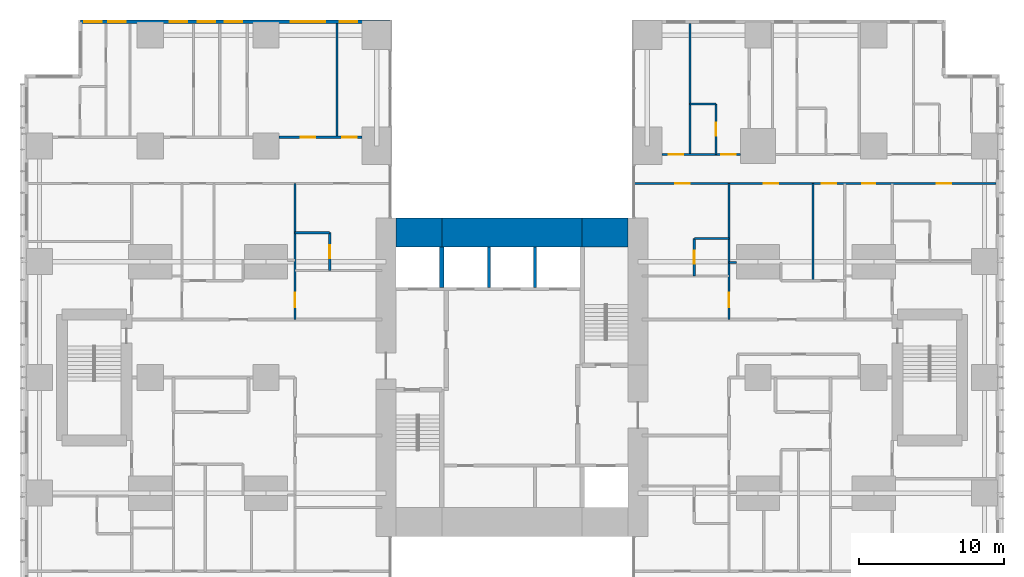
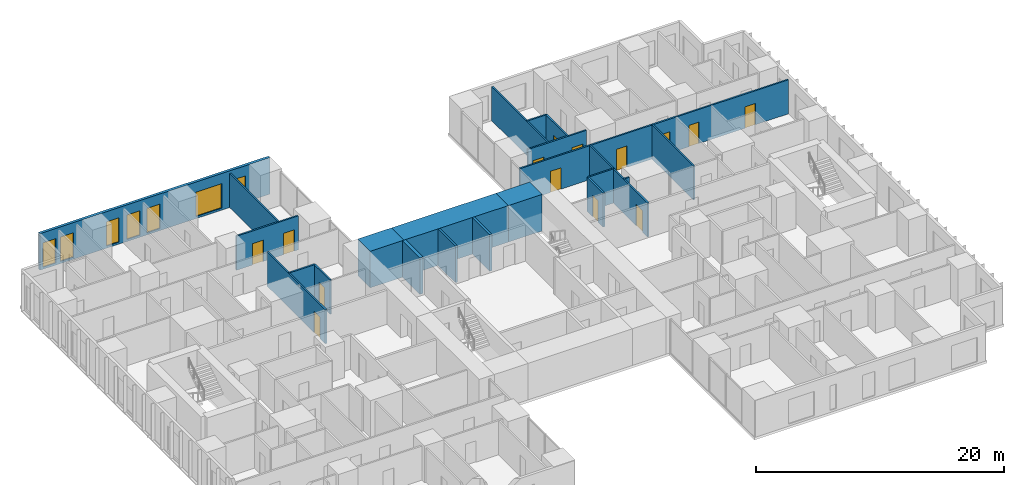
# One storey, part 17 of 20: 22 walls, 14 doors, 7 windows, 21 openings.
"""IFC4 building model written with IfcOpenShell, lengths in metres."""

from ifc_helpers import new_model, si_unit, direction, frame, frame_2d, origin, place, context, subcontext, project, spatial, rectangle, extrude, material, layer, layer_set, type_object, element, fill, save


model = new_model("IFC4")

# Units and contexts
model_context = context("Model", 3, precision=1e-05, world=origin(), true_north=direction((0.0, 1.0)))
body_context = subcontext(model_context, "Body", "Model", "MODEL_VIEW")
ifc_project = project(units=[si_unit("LENGTHUNIT", "METRE"), si_unit("AREAUNIT", "SQUARE_METRE"), si_unit("VOLUMEUNIT", "CUBIC_METRE"), si_unit("PLANEANGLEUNIT", "RADIAN"), si_unit("MASSUNIT", "GRAM", prefix="KILO")], contexts=[model_context])

# Site, building, storey
site_placement = place(None, origin())
site = spatial("IfcSite", under=ifc_project, at=site_placement, CompositionType="ELEMENT")
building_placement = place(site_placement, origin())
building = spatial("IfcBuilding", under=site, at=building_placement, Name="Cleftline Residences", CompositionType="ELEMENT")
storey_placement = place(building_placement, frame((0.0, 0.0, 196.60009765625)))
storey = spatial("IfcBuildingStorey", under=building, at=storey_placement, Name="L51", CompositionType="ELEMENT", Elevation=196.60009765625)

# Walls
ifc_material_1 = material(Name="Concrete B70", Category="concrete")
ifc_layer_1 = layer(ifc_material_1, 2.0)
ifc_layer_set_1 = layer_set([ifc_layer_1], Name="CORE WALL 2000")
wall_type_1 = type_object("IfcWallType", Name="CORE WALL 2000", PredefinedType="SHEAR", material=ifc_layer_set_1)
wall_1_placement = place(storey_placement, frame((25.0, 34.0, 0.0), z_axis=(0.0, 0.0, 1.0), x_axis=(1.0, 0.0, 0.0)))
element("IfcWall", 1, at=wall_1_placement, inside=storey, type_object=wall_type_1, Name="Core wall N1", PredefinedType="SHEAR", context=body_context, shape_type="SweptSolid", body=[
    extrude(rectangle(XDim=3.14990234375, YDim=2.0, at=frame_2d((1.574951171875, 0.0))), origin(), (0.0, 0.0, 1.0), 3.599853515625),
])
wall_2_placement = place(storey_placement, frame((28.14990234375, 34.0, 0.0), z_axis=(0.0, 0.0, 1.0), x_axis=(1.0, 0.0, 0.0)))
element("IfcWall", 2, at=wall_2_placement, inside=storey, type_object=wall_type_1, Name="Core wall N2", PredefinedType="SHEAR", context=body_context, shape_type="SweptSolid", body=[
    extrude(rectangle(XDim=9.7001953125, YDim=2.0, at=frame_2d((4.85009765625, 0.0))), origin(), (0.0, 0.0, 1.0), 3.599853515625),
])
wall_3_placement = place(storey_placement, frame((37.85009765625, 34.0, 0.0), z_axis=(0.0, 0.0, 1.0), x_axis=(1.0, 0.0, 0.0)))
element("IfcWall", 3, at=wall_3_placement, inside=storey, type_object=wall_type_1, Name="Core wall N3", PredefinedType="SHEAR", context=body_context, shape_type="SweptSolid", body=[
    extrude(rectangle(XDim=3.14990234375, YDim=2.0, at=frame_2d((1.574951171875, 0.0))), origin(), (0.0, 0.0, 1.0), 3.599853515625),
])
ifc_material_2 = material(Name="Concrete B70", Category="concrete")
ifc_layer_2 = layer(ifc_material_2, 0.300048828125)
ifc_layer_set_2 = layer_set([ifc_layer_2], Name="CORE WALL 300")
wall_type_2 = type_object("IfcWallType", Name="CORE WALL 300", PredefinedType="SHEAR", material=ifc_layer_set_2)
wall_4_placement = place(storey_placement, frame((28.14990234375, 30.199951171875, 0.0), z_axis=(0.0, 0.0, 1.0), x_axis=(0.0, 1.0, 0.0)))
element("IfcWall", 4, at=wall_4_placement, inside=storey, type_object=wall_type_2, Name="Lift shaft wall", PredefinedType="SHEAR", context=body_context, shape_type="SweptSolid", body=[
    extrude(rectangle(XDim=2.800048828125, YDim=0.300048828125, at=frame_2d((1.39990234375, 0.0))), origin(), (0.0, 0.0, 1.0), 3.599853515625),
])

# Wall, openings, windows
ifc_material_3 = material(Name="Rendered reinforced concrete blockwork", Category="masonry")
ifc_layer_3 = layer(ifc_material_3, 0.25)
ifc_layer_set_3 = layer_set([ifc_layer_3], Name="EXTERNAL WALL 250")
wall_type_3 = type_object("IfcWallType", Name="EXTERNAL WALL 250", PredefinedType="SOLIDWALL", material=ifc_layer_set_3)
wall_5_placement = place(storey_placement, frame((24.574951171875, 48.574951171875, 0.0), z_axis=(0.0, 0.0, 1.0), x_axis=(-1.0, 0.0, 0.0)))
wall_5 = element("IfcWall", 5, at=wall_5_placement, inside=storey, type_object=wall_type_3, Name="External wall", PredefinedType="SOLIDWALL", context=body_context, shape_type="SweptSolid", body=[
    extrude(rectangle(XDim=21.39990234375, YDim=0.25, at=frame_2d((10.699951171875, 0.0))), origin(), (0.0, 0.0, 1.0), 3.599853515625),
])
opening_1_placement = place(wall_5_placement, frame((2.27490234375, 0.0, 0.199951171875)))
opening_1 = element("IfcOpeningElement", 6, at=opening_1_placement, cuts=wall_5, Name="Opening W13", PredefinedType="OPENING", context=body_context, shape_type="SweptSolid", body=[
    extrude(rectangle(XDim=1.199951171875, YDim=2.39990234375, at=frame_2d((0.60009765625, 1.199951171875))), frame((0.0, 0.135009765625, 0.0), z_axis=(0.0, -1.0, 0.0), x_axis=(1.0, 0.0, 0.0)), (0.0, 0.0, 1.0), 0.27001953125),
])
opening_2_placement = place(wall_5_placement, frame((4.47509765625, 0.0, 0.199951171875)))
opening_2 = element("IfcOpeningElement", 7, at=opening_2_placement, cuts=wall_5, Name="Opening W9", PredefinedType="OPENING", context=body_context, shape_type="SweptSolid", body=[
    extrude(rectangle(XDim=2.39990234375, YDim=2.39990234375, at=frame_2d((1.199951171875, 1.199951171875))), frame((0.0, 0.135009765625, 0.0), z_axis=(0.0, -1.0, 0.0), x_axis=(1.0, 0.0, 0.0)), (0.0, 0.0, 1.0), 0.27001953125),
])
opening_3_placement = place(wall_5_placement, frame((10.22509765625, 0.0, 0.199951171875)))
opening_3 = element("IfcOpeningElement", 8, at=opening_3_placement, cuts=wall_5, Name="Opening W13", PredefinedType="OPENING", context=body_context, shape_type="SweptSolid", body=[
    extrude(rectangle(XDim=1.199951171875, YDim=2.39990234375, at=frame_2d((0.60009765625, 1.199951171875))), frame((0.0, 0.135009765625, 0.0), z_axis=(0.0, -1.0, 0.0), x_axis=(1.0, 0.0, 0.0)), (0.0, 0.0, 1.0), 0.27001953125),
])
opening_4_placement = place(wall_5_placement, frame((12.074951171875, 0.0, 0.199951171875)))
opening_4 = element("IfcOpeningElement", 9, at=opening_4_placement, cuts=wall_5, Name="Opening W13", PredefinedType="OPENING", context=body_context, shape_type="SweptSolid", body=[
    extrude(rectangle(XDim=1.199951171875, YDim=2.39990234375, at=frame_2d((0.60009765625, 1.199951171875))), frame((0.0, 0.135009765625, 0.0), z_axis=(0.0, -1.0, 0.0), x_axis=(1.0, 0.0, 0.0)), (0.0, 0.0, 1.0), 0.27001953125),
])
opening_5_placement = place(wall_5_placement, frame((14.02490234375, 0.0, 0.199951171875)))
opening_5 = element("IfcOpeningElement", 10, at=opening_5_placement, cuts=wall_5, Name="Opening W13", PredefinedType="OPENING", context=body_context, shape_type="SweptSolid", body=[
    extrude(rectangle(XDim=1.199951171875, YDim=2.39990234375, at=frame_2d((0.60009765625, 1.199951171875))), frame((0.0, 0.135009765625, 0.0), z_axis=(0.0, -1.0, 0.0), x_axis=(1.0, 0.0, 0.0)), (0.0, 0.0, 1.0), 0.27001953125),
])
opening_6_placement = place(wall_5_placement, frame((18.27490234375, 0.0, 0.199951171875)))
opening_6 = element("IfcOpeningElement", 11, at=opening_6_placement, cuts=wall_5, Name="Opening W13", PredefinedType="OPENING", context=body_context, shape_type="SweptSolid", body=[
    extrude(rectangle(XDim=1.199951171875, YDim=2.39990234375, at=frame_2d((0.60009765625, 1.199951171875))), frame((0.0, 0.135009765625, 0.0), z_axis=(0.0, -1.0, 0.0), x_axis=(1.0, 0.0, 0.0)), (0.0, 0.0, 1.0), 0.27001953125),
])
opening_7_placement = place(wall_5_placement, frame((19.925048828125, 0.0, 0.199951171875)))
opening_7 = element("IfcOpeningElement", 12, at=opening_7_placement, cuts=wall_5, Name="Opening W13", PredefinedType="OPENING", context=body_context, shape_type="SweptSolid", body=[
    extrude(rectangle(XDim=1.199951171875, YDim=2.39990234375, at=frame_2d((0.60009765625, 1.199951171875))), frame((0.0, 0.135009765625, 0.0), z_axis=(0.0, -1.0, 0.0), x_axis=(1.0, 0.0, 0.0)), (0.0, 0.0, 1.0), 0.27001953125),
])
ifc_material_4 = material(Name="Aluminium frame, clear double glazing", Category="aluminium")
window_type_1 = type_object("IfcWindowType", Name="WINDOW 1200X2400", PartitioningType="DOUBLE_PANEL_VERTICAL", PredefinedType="WINDOW", material=ifc_material_4)
window_1_placement = place(opening_1_placement, origin())
window_1 = element("IfcWindow", 13, at=window_1_placement, inside=storey, type_object=window_type_1, Name="Window", OverallHeight=2.39990234375, OverallWidth=1.199951171875, PartitioningType="SINGLE_PANEL", PredefinedType="WINDOW", context=body_context, shape_type="SweptSolid", body=[
    extrude(rectangle(XDim=1.199951171875, YDim=2.39990234375, at=frame_2d((0.60009765625, 1.199951171875))), frame((0.0, 0.030029296875, 0.0), z_axis=(0.0, -1.0, 0.0), x_axis=(1.0, 0.0, 0.0)), (0.0, 0.0, 1.0), 0.06005859375),
])
fill(opening_1, window_1)
window_2_placement = place(opening_3_placement, origin())
window_2 = element("IfcWindow", 14, at=window_2_placement, inside=storey, type_object=window_type_1, Name="Window", OverallHeight=2.39990234375, OverallWidth=1.199951171875, PartitioningType="SINGLE_PANEL", PredefinedType="WINDOW", context=body_context, shape_type="SweptSolid", body=[
    extrude(rectangle(XDim=1.199951171875, YDim=2.39990234375, at=frame_2d((0.60009765625, 1.199951171875))), frame((0.0, 0.030029296875, 0.0), z_axis=(0.0, -1.0, 0.0), x_axis=(1.0, 0.0, 0.0)), (0.0, 0.0, 1.0), 0.06005859375),
])
fill(opening_3, window_2)
window_3_placement = place(opening_4_placement, origin())
window_3 = element("IfcWindow", 15, at=window_3_placement, inside=storey, type_object=window_type_1, Name="Window", OverallHeight=2.39990234375, OverallWidth=1.199951171875, PartitioningType="SINGLE_PANEL", PredefinedType="WINDOW", context=body_context, shape_type="SweptSolid", body=[
    extrude(rectangle(XDim=1.199951171875, YDim=2.39990234375, at=frame_2d((0.60009765625, 1.199951171875))), frame((0.0, 0.030029296875, 0.0), z_axis=(0.0, -1.0, 0.0), x_axis=(1.0, 0.0, 0.0)), (0.0, 0.0, 1.0), 0.06005859375),
])
fill(opening_4, window_3)
window_4_placement = place(opening_5_placement, origin())
window_4 = element("IfcWindow", 16, at=window_4_placement, inside=storey, type_object=window_type_1, Name="Window", OverallHeight=2.39990234375, OverallWidth=1.199951171875, PartitioningType="SINGLE_PANEL", PredefinedType="WINDOW", context=body_context, shape_type="SweptSolid", body=[
    extrude(rectangle(XDim=1.199951171875, YDim=2.39990234375, at=frame_2d((0.60009765625, 1.199951171875))), frame((0.0, 0.030029296875, 0.0), z_axis=(0.0, -1.0, 0.0), x_axis=(1.0, 0.0, 0.0)), (0.0, 0.0, 1.0), 0.06005859375),
])
fill(opening_5, window_4)
window_5_placement = place(opening_6_placement, origin())
window_5 = element("IfcWindow", 17, at=window_5_placement, inside=storey, type_object=window_type_1, Name="Window", OverallHeight=2.39990234375, OverallWidth=1.199951171875, PartitioningType="SINGLE_PANEL", PredefinedType="WINDOW", context=body_context, shape_type="SweptSolid", body=[
    extrude(rectangle(XDim=1.199951171875, YDim=2.39990234375, at=frame_2d((0.60009765625, 1.199951171875))), frame((0.0, 0.030029296875, 0.0), z_axis=(0.0, -1.0, 0.0), x_axis=(1.0, 0.0, 0.0)), (0.0, 0.0, 1.0), 0.06005859375),
])
fill(opening_6, window_5)
window_6_placement = place(opening_7_placement, origin())
window_6 = element("IfcWindow", 18, at=window_6_placement, inside=storey, type_object=window_type_1, Name="Window", OverallHeight=2.39990234375, OverallWidth=1.199951171875, PartitioningType="SINGLE_PANEL", PredefinedType="WINDOW", context=body_context, shape_type="SweptSolid", body=[
    extrude(rectangle(XDim=1.199951171875, YDim=2.39990234375, at=frame_2d((0.60009765625, 1.199951171875))), frame((0.0, 0.030029296875, 0.0), z_axis=(0.0, -1.0, 0.0), x_axis=(1.0, 0.0, 0.0)), (0.0, 0.0, 1.0), 0.06005859375),
])
fill(opening_7, window_6)
ifc_material_5 = material(Name="Aluminium frame, clear double glazing", Category="aluminium")
window_type_2 = type_object("IfcWindowType", Name="WINDOW 2400X2400", PartitioningType="DOUBLE_PANEL_VERTICAL", PredefinedType="WINDOW", material=ifc_material_5)
window_7_placement = place(opening_2_placement, origin())
window_7 = element("IfcWindow", 19, at=window_7_placement, inside=storey, type_object=window_type_2, Name="Window", OverallHeight=2.39990234375, OverallWidth=2.39990234375, PartitioningType="SINGLE_PANEL", PredefinedType="WINDOW", context=body_context, shape_type="SweptSolid", body=[
    extrude(rectangle(XDim=2.39990234375, YDim=2.39990234375, at=frame_2d((1.199951171875, 1.199951171875))), frame((0.0, 0.030029296875, 0.0), z_axis=(0.0, -1.0, 0.0), x_axis=(1.0, 0.0, 0.0)), (0.0, 0.0, 1.0), 0.06005859375),
])
fill(opening_2, window_7)

# Walls
ifc_material_6 = material(Name="Gypsum board on steel studs", Category="steel")
ifc_layer_4 = layer(ifc_material_6, 0.14990234375)
ifc_layer_set_4 = layer_set([ifc_layer_4], Name="PARTITION 150")
wall_type_4 = type_object("IfcWallType", Name="PARTITION 150", PredefinedType="PARTITIONING", material=ifc_layer_set_4)
wall_6_placement = place(storey_placement, frame((48.0, 31.949951171875, 0.0), z_axis=(0.0, 0.0, 1.0), x_axis=(1.0, 0.0, 0.0)))
element("IfcWall", 20, at=wall_6_placement, inside=storey, type_object=wall_type_4, Name="Partition", PredefinedType="PARTITIONING", context=body_context, shape_type="SweptSolid", body=[
    extrude(rectangle(XDim=0.5, YDim=0.14990234375, at=frame_2d((0.25, 0.0))), origin(), (0.0, 0.0, 1.0), 3.349853515625),
])
for number, where, z_axis, x_axis, name in (
    (21, (45.60009765625, 33.60009765625, 0.0), (0.0, 0.0, 1.0), (1.0, 0.0, 0.0), "Partition"),
    (22, (18.0, 34.0, 0.0), (0.0, 0.0, 1.0), (1.0, 0.0, 0.0), "Partition"),
):
    element("IfcWall", number, at=place(storey_placement, frame(where, z_axis=z_axis, x_axis=x_axis)), inside=storey, type_object=wall_type_4, Name=name, PredefinedType="PARTITIONING", context=body_context, shape_type="SweptSolid", body=[
        extrude(rectangle(XDim=2.39990234375, YDim=0.14990234375, at=frame_2d((1.199951171875, 0.0))), origin(), (0.0, 0.0, 1.0), 3.349853515625),
    ])

# Wall, openings, doors
wall_7_placement = place(storey_placement, frame((41.43896484375, 37.39990234375, 0.0), z_axis=(0.0, 0.0, 1.0), x_axis=(1.0, 0.0, 0.0)))
wall_7 = element("IfcWall", 23, at=wall_7_placement, inside=storey, type_object=wall_type_4, Name="Partition", PredefinedType="PARTITIONING", context=body_context, shape_type="SweptSolid", body=[
    extrude(rectangle(XDim=25.010986328125, YDim=0.14990234375, at=frame_2d((12.50537109375, 0.0))), origin(), (0.0, 0.0, 1.0), 3.349853515625),
])
opening_8_placement = place(wall_7_placement, frame((12.9609375, 0.0, 0.0)))
opening_8 = element("IfcOpeningElement", 24, at=opening_8_placement, cuts=wall_7, Name="Opening D2F30", PredefinedType="OPENING", context=body_context, shape_type="SweptSolid", body=[
    extrude(rectangle(XDim=1.0, YDim=2.10009765625, at=frame_2d((0.5, 1.050048828125))), frame((0.0, 0.0849609375, 0.0), z_axis=(0.0, -1.0, 0.0), x_axis=(1.0, 0.0, 0.0)), (0.0, 0.0, 1.0), 0.169921875),
])
opening_9_placement = place(wall_7_placement, frame((20.923583984375, 0.0, 0.0)))
opening_9 = element("IfcOpeningElement", 25, at=opening_9_placement, cuts=wall_7, Name="Opening D2F30", PredefinedType="OPENING", context=body_context, shape_type="SweptSolid", body=[
    extrude(rectangle(XDim=1.0, YDim=2.10009765625, at=frame_2d((0.5, 1.050048828125))), frame((0.0, 0.0849609375, 0.0), z_axis=(0.0, -1.0, 0.0), x_axis=(1.0, 0.0, 0.0)), (0.0, 0.0, 1.0), 0.169921875),
])
opening_10_placement = place(wall_7_placement, frame((15.74853515625, 0.0, 0.0)))
opening_10 = element("IfcOpeningElement", 26, at=opening_10_placement, cuts=wall_7, Name="Opening D1F30", PredefinedType="OPENING", context=body_context, shape_type="SweptSolid", body=[
    extrude(rectangle(XDim=0.89990234375, YDim=2.10009765625, at=frame_2d((0.449951171875, 1.050048828125))), frame((0.0, 0.0849609375, 0.0), z_axis=(0.0, -1.0, 0.0), x_axis=(1.0, 0.0, 0.0)), (0.0, 0.0, 1.0), 0.169921875),
])
opening_11_placement = place(wall_7_placement, frame((8.9609375, 0.0, 0.0)))
opening_11 = element("IfcOpeningElement", 27, at=opening_11_placement, cuts=wall_7, Name="Opening D2F30", PredefinedType="OPENING", context=body_context, shape_type="SweptSolid", body=[
    extrude(rectangle(XDim=1.0, YDim=2.10009765625, at=frame_2d((0.5, 1.050048828125))), frame((0.0, 0.0849609375, 0.0), z_axis=(0.0, -1.0, 0.0), x_axis=(1.0, 0.0, 0.0)), (0.0, 0.0, 1.0), 0.169921875),
])
opening_12_placement = place(wall_7_placement, frame((2.8359375, 0.0, 0.0)))
opening_12 = element("IfcOpeningElement", 28, at=opening_12_placement, cuts=wall_7, Name="Opening D2F30", PredefinedType="OPENING", context=body_context, shape_type="SweptSolid", body=[
    extrude(rectangle(XDim=1.0, YDim=2.10009765625, at=frame_2d((0.5, 1.050048828125))), frame((0.0, 0.0849609375, 0.0), z_axis=(0.0, -1.0, 0.0), x_axis=(1.0, 0.0, 0.0)), (0.0, 0.0, 1.0), 0.169921875),
])
ifc_material_7 = material(Name="Timber veneer on solid core", Category="wood")
door_type_1 = type_object("IfcDoorType", Name="DOOR 1000X2100 EI 30", OperationType="SINGLE_SWING_LEFT", PredefinedType="DOOR", material=ifc_material_7)
door_1_placement = place(opening_8_placement, origin())
door_1 = element("IfcDoor", 29, at=door_1_placement, inside=storey, type_object=door_type_1, Name="Door to residence corridor (bedrooms)", OperationType="SINGLE_SWING_LEFT", OverallHeight=2.10009765625, OverallWidth=1.0, PredefinedType="DOOR", context=body_context, shape_type="SweptSolid", body=[
    extrude(rectangle(XDim=1.0, YDim=2.10009765625, at=frame_2d((0.5, 1.050048828125))), frame((0.0, 0.02490234375, 0.0), z_axis=(0.0, -1.0, 0.0), x_axis=(1.0, 0.0, 0.0)), (0.0, 0.0, 1.0), 0.050048828125),
])
fill(opening_8, door_1)
door_2_placement = place(opening_9_placement, origin())
door_2 = element("IfcDoor", 30, at=door_2_placement, inside=storey, type_object=door_type_1, Name="Door to master bedroom", OperationType="SINGLE_SWING_LEFT", OverallHeight=2.10009765625, OverallWidth=1.0, PredefinedType="DOOR", context=body_context, shape_type="SweptSolid", body=[
    extrude(rectangle(XDim=1.0, YDim=2.10009765625, at=frame_2d((0.5, 1.050048828125))), frame((0.0, 0.02490234375, 0.0), z_axis=(0.0, -1.0, 0.0), x_axis=(1.0, 0.0, 0.0)), (0.0, 0.0, 1.0), 0.050048828125),
])
fill(opening_9, door_2)
door_3_placement = place(opening_11_placement, origin())
door_3 = element("IfcDoor", 31, at=door_3_placement, inside=storey, type_object=door_type_1, Name="Door to family room", OperationType="SINGLE_SWING_RIGHT", OverallHeight=2.10009765625, OverallWidth=1.0, PredefinedType="DOOR", context=body_context, shape_type="SweptSolid", body=[
    extrude(rectangle(XDim=1.0, YDim=2.10009765625, at=frame_2d((0.5, 1.050048828125))), frame((0.0, 0.02490234375, 0.0), z_axis=(0.0, -1.0, 0.0), x_axis=(1.0, 0.0, 0.0)), (0.0, 0.0, 1.0), 0.050048828125),
])
fill(opening_11, door_3)
door_4_placement = place(opening_12_placement, origin())
door_4 = element("IfcDoor", 32, at=door_4_placement, inside=storey, type_object=door_type_1, Name="Door to bedroom 5", OperationType="SINGLE_SWING_RIGHT", OverallHeight=2.10009765625, OverallWidth=1.0, PredefinedType="DOOR", context=body_context, shape_type="SweptSolid", body=[
    extrude(rectangle(XDim=1.0, YDim=2.10009765625, at=frame_2d((0.5, 1.050048828125))), frame((0.0, 0.02490234375, 0.0), z_axis=(0.0, -1.0, 0.0), x_axis=(1.0, 0.0, 0.0)), (0.0, 0.0, 1.0), 0.050048828125),
])
fill(opening_12, door_4)
ifc_material_8 = material(Name="Timber veneer on solid core", Category="wood")
door_type_2 = type_object("IfcDoorType", Name="DOOR 900X2100 EI 30", OperationType="SINGLE_SWING_LEFT", PredefinedType="DOOR", material=ifc_material_8)
door_5_placement = place(opening_10_placement, origin())
door_5 = element("IfcDoor", 33, at=door_5_placement, inside=storey, type_object=door_type_2, Name="Door to master bathroom", OperationType="SINGLE_SWING_LEFT", OverallHeight=2.10009765625, OverallWidth=0.89990234375, PredefinedType="DOOR", context=body_context, shape_type="SweptSolid", body=[
    extrude(rectangle(XDim=0.89990234375, YDim=2.10009765625, at=frame_2d((0.449951171875, 1.050048828125))), frame((0.0, 0.02490234375, 0.0), z_axis=(0.0, -1.0, 0.0), x_axis=(1.0, 0.0, 0.0)), (0.0, 0.0, 1.0), 0.050048828125),
])
fill(opening_10, door_5)

wall_8_placement = place(storey_placement, frame((43.35009765625, 39.39990234375, 0.0), z_axis=(0.0, 0.0, 1.0), x_axis=(1.0, 0.0, 0.0)))
wall_8 = element("IfcWall", 34, at=wall_8_placement, inside=storey, type_object=wall_type_4, Name="Partition", PredefinedType="PARTITIONING", context=body_context, shape_type="SweptSolid", body=[
    extrude(rectangle(XDim=5.449951171875, YDim=0.14990234375, at=frame_2d((2.72509765625, 0.0))), origin(), (0.0, 0.0, 1.0), 3.349853515625),
])
opening_13_placement = place(wall_8_placement, frame((4.10009765625, 0.0, 0.0)))
opening_13 = element("IfcOpeningElement", 35, at=opening_13_placement, cuts=wall_8, Name="Opening D2", PredefinedType="OPENING", context=body_context, shape_type="SweptSolid", body=[
    extrude(rectangle(XDim=1.0, YDim=2.10009765625, at=frame_2d((0.5, 1.050048828125))), frame((0.0, 0.0849609375, 0.0), z_axis=(0.0, -1.0, 0.0), x_axis=(1.0, 0.0, 0.0)), (0.0, 0.0, 1.0), 0.169921875),
])
opening_14_placement = place(wall_8_placement, frame((0.47509765625, 0.0, 0.0)))
opening_14 = element("IfcOpeningElement", 36, at=opening_14_placement, cuts=wall_8, Name="Opening D2", PredefinedType="OPENING", context=body_context, shape_type="SweptSolid", body=[
    extrude(rectangle(XDim=1.0, YDim=2.10009765625, at=frame_2d((0.5, 1.050048828125))), frame((0.0, 0.0849609375, 0.0), z_axis=(0.0, -1.0, 0.0), x_axis=(1.0, 0.0, 0.0)), (0.0, 0.0, 1.0), 0.169921875),
])
ifc_material_9 = material(Name="Timber veneer on solid core", Category="wood")
door_type_3 = type_object("IfcDoorType", Name="DOOR 1000X2100", OperationType="SINGLE_SWING_LEFT", PredefinedType="DOOR", material=ifc_material_9)
door_6_placement = place(opening_13_placement, origin())
door_6 = element("IfcDoor", 37, at=door_6_placement, inside=storey, type_object=door_type_3, Name="Door to bedroom 4", OperationType="SINGLE_SWING_LEFT", OverallHeight=2.10009765625, OverallWidth=1.0, PredefinedType="DOOR", context=body_context, shape_type="SweptSolid", body=[
    extrude(rectangle(XDim=1.0, YDim=2.10009765625, at=frame_2d((0.5, 1.050048828125))), frame((0.0, 0.02490234375, 0.0), z_axis=(0.0, -1.0, 0.0), x_axis=(1.0, 0.0, 0.0)), (0.0, 0.0, 1.0), 0.050048828125),
])
fill(opening_13, door_6)
door_7_placement = place(opening_14_placement, origin())
door_7 = element("IfcDoor", 38, at=door_7_placement, inside=storey, type_object=door_type_3, Name="Door to gym", OperationType="SINGLE_SWING_RIGHT", OverallHeight=2.10009765625, OverallWidth=1.0, PredefinedType="DOOR", context=body_context, shape_type="SweptSolid", body=[
    extrude(rectangle(XDim=1.0, YDim=2.10009765625, at=frame_2d((0.5, 1.050048828125))), frame((0.0, 0.02490234375, 0.0), z_axis=(0.0, -1.0, 0.0), x_axis=(1.0, 0.0, 0.0)), (0.0, 0.0, 1.0), 0.050048828125),
])
fill(opening_14, door_7)

wall_9_placement = place(storey_placement, frame((16.89990234375, 40.60009765625, 0.0), z_axis=(0.0, 0.0, 1.0), x_axis=(1.0, 0.0, 0.0)))
wall_9 = element("IfcWall", 39, at=wall_9_placement, inside=storey, type_object=wall_type_4, Name="Partition", PredefinedType="PARTITIONING", context=body_context, shape_type="SweptSolid", body=[
    extrude(rectangle(XDim=5.75, YDim=0.14990234375, at=frame_2d((2.875, 0.0))), origin(), (0.0, 0.0, 1.0), 3.349853515625),
])
opening_15_placement = place(wall_9_placement, frame((1.5, 0.0, 0.0)))
opening_15 = element("IfcOpeningElement", 40, at=opening_15_placement, cuts=wall_9, Name="Opening D2", PredefinedType="OPENING", context=body_context, shape_type="SweptSolid", body=[
    extrude(rectangle(XDim=1.0, YDim=2.10009765625, at=frame_2d((0.5, 1.050048828125))), frame((0.0, 0.0849609375, 0.0), z_axis=(0.0, -1.0, 0.0), x_axis=(1.0, 0.0, 0.0)), (0.0, 0.0, 1.0), 0.169921875),
])
opening_16_placement = place(wall_9_placement, frame((4.375, 0.0, 0.0)))
opening_16 = element("IfcOpeningElement", 41, at=opening_16_placement, cuts=wall_9, Name="Opening D2", PredefinedType="OPENING", context=body_context, shape_type="SweptSolid", body=[
    extrude(rectangle(XDim=1.0, YDim=2.10009765625, at=frame_2d((0.5, 1.050048828125))), frame((0.0, 0.0849609375, 0.0), z_axis=(0.0, -1.0, 0.0), x_axis=(1.0, 0.0, 0.0)), (0.0, 0.0, 1.0), 0.169921875),
])
door_8_placement = place(opening_15_placement, origin())
door_8 = element("IfcDoor", 42, at=door_8_placement, inside=storey, type_object=door_type_3, Name="Door to master bedroom", OperationType="SINGLE_SWING_RIGHT", OverallHeight=2.10009765625, OverallWidth=1.0, PredefinedType="DOOR", context=body_context, shape_type="SweptSolid", body=[
    extrude(rectangle(XDim=1.0, YDim=2.10009765625, at=frame_2d((0.5, 1.050048828125))), frame((0.0, 0.02490234375, 0.0), z_axis=(0.0, -1.0, 0.0), x_axis=(1.0, 0.0, 0.0)), (0.0, 0.0, 1.0), 0.050048828125),
])
fill(opening_15, door_8)
door_9_placement = place(opening_16_placement, origin())
door_9 = element("IfcDoor", 43, at=door_9_placement, inside=storey, type_object=door_type_3, Name="Door to master sitting room", OperationType="SINGLE_SWING_LEFT", OverallHeight=2.10009765625, OverallWidth=1.0, PredefinedType="DOOR", context=body_context, shape_type="SweptSolid", body=[
    extrude(rectangle(XDim=1.0, YDim=2.10009765625, at=frame_2d((0.5, 1.050048828125))), frame((0.0, 0.02490234375, 0.0), z_axis=(0.0, -1.0, 0.0), x_axis=(1.0, 0.0, 0.0)), (0.0, 0.0, 1.0), 0.050048828125),
])
fill(opening_16, door_9)

# Wall
wall_10_placement = place(storey_placement, frame((45.300048828125, 42.89990234375, 0.0), z_axis=(0.0, 0.0, 1.0), x_axis=(1.0, 0.0, 0.0)))
element("IfcWall", 44, at=wall_10_placement, inside=storey, type_object=wall_type_4, Name="Partition", PredefinedType="PARTITIONING", context=body_context, shape_type="SweptSolid", body=[
    extrude(rectangle(XDim=1.800048828125, YDim=0.14990234375, at=frame_2d((0.89990234375, 0.0))), origin(), (0.0, 0.0, 1.0), 3.349853515625),
])

# Wall, opening, door
wall_11_placement = place(storey_placement, frame((18.0, 28.0, 0.0), z_axis=(0.0, 0.0, 1.0), x_axis=(0.0, 1.0, 0.0)))
wall_11 = element("IfcWall", 45, at=wall_11_placement, inside=storey, type_object=wall_type_4, Name="Partition", PredefinedType="PARTITIONING", context=body_context, shape_type="SweptSolid", body=[
    extrude(rectangle(XDim=9.39990234375, YDim=0.14990234375, at=frame_2d((4.699951171875, 0.0))), origin(), (0.0, 0.0, 1.0), 3.349853515625),
])
opening_17_placement = place(wall_11_placement, frame((0.83740234375, 0.0, 0.0)))
opening_17 = element("IfcOpeningElement", 46, at=opening_17_placement, cuts=wall_11, Name="Opening D2", PredefinedType="OPENING", context=body_context, shape_type="SweptSolid", body=[
    extrude(rectangle(XDim=1.0, YDim=2.10009765625, at=frame_2d((0.5, 1.050048828125))), frame((0.0, 0.0849609375, 0.0), z_axis=(0.0, -1.0, 0.0), x_axis=(1.0, 0.0, 0.0)), (0.0, 0.0, 1.0), 0.169921875),
])
door_10_placement = place(opening_17_placement, origin())
door_10 = element("IfcDoor", 47, at=door_10_placement, inside=storey, type_object=door_type_3, Name="Door to morning kitchen", OperationType="SINGLE_SWING_RIGHT", OverallHeight=2.10009765625, OverallWidth=1.0, PredefinedType="DOOR", context=body_context, shape_type="SweptSolid", body=[
    extrude(rectangle(XDim=1.0, YDim=2.10009765625, at=frame_2d((0.5, 1.050048828125))), frame((0.0, 0.02490234375, 0.0), z_axis=(0.0, -1.0, 0.0), x_axis=(1.0, 0.0, 0.0)), (0.0, 0.0, 1.0), 0.050048828125),
])
fill(opening_17, door_10)

wall_12_placement = place(storey_placement, frame((20.39990234375, 31.39990234375, 0.0), z_axis=(0.0, 0.0, 1.0), x_axis=(0.0, 1.0, 0.0)))
wall_12 = element("IfcWall", 48, at=wall_12_placement, inside=storey, type_object=wall_type_4, Name="Partition", PredefinedType="PARTITIONING", context=body_context, shape_type="SweptSolid", body=[
    extrude(rectangle(XDim=2.60009765625, YDim=0.14990234375, at=frame_2d((1.300048828125, 0.0))), origin(), (0.0, 0.0, 1.0), 3.349853515625),
])
opening_18_placement = place(wall_12_placement, frame((0.85009765625, 0.0, 0.0)))
opening_18 = element("IfcOpeningElement", 49, at=opening_18_placement, cuts=wall_12, Name="Opening D1", PredefinedType="OPENING", context=body_context, shape_type="SweptSolid", body=[
    extrude(rectangle(XDim=0.89990234375, YDim=2.10009765625, at=frame_2d((0.449951171875, 1.050048828125))), frame((0.0, 0.0849609375, 0.0), z_axis=(0.0, -1.0, 0.0), x_axis=(1.0, 0.0, 0.0)), (0.0, 0.0, 1.0), 0.169921875),
])
ifc_material_10 = material(Name="Timber veneer on solid core", Category="wood")
door_type_4 = type_object("IfcDoorType", Name="DOOR 900X2100", OperationType="SINGLE_SWING_LEFT", PredefinedType="DOOR", material=ifc_material_10)
door_11_placement = place(opening_18_placement, origin())
door_11 = element("IfcDoor", 50, at=door_11_placement, inside=storey, type_object=door_type_4, Name="Door to en-suite bathroom 4", OperationType="SINGLE_SWING_LEFT", OverallHeight=2.10009765625, OverallWidth=0.89990234375, PredefinedType="DOOR", context=body_context, shape_type="SweptSolid", body=[
    extrude(rectangle(XDim=0.89990234375, YDim=2.10009765625, at=frame_2d((0.449951171875, 1.050048828125))), frame((0.0, 0.02490234375, 0.0), z_axis=(0.0, -1.0, 0.0), x_axis=(1.0, 0.0, 0.0)), (0.0, 0.0, 1.0), 0.050048828125),
])
fill(opening_18, door_11)

# Walls
wall_13_placement = place(storey_placement, frame((20.89990234375, 40.60009765625, 0.0), z_axis=(0.0, 0.0, 1.0), x_axis=(0.0, 1.0, 0.0)))
element("IfcWall", 51, at=wall_13_placement, inside=storey, type_object=wall_type_4, Name="Partition", PredefinedType="PARTITIONING", context=body_context, shape_type="SweptSolid", body=[
    extrude(rectangle(XDim=7.849853515625, YDim=0.14990234375, at=frame_2d((3.9248046875, 0.0))), origin(), (0.0, 0.0, 1.0), 3.349853515625),
])
wall_14_placement = place(storey_placement, frame((45.300048828125, 39.39990234375, 0.0), z_axis=(0.0, 0.0, 1.0), x_axis=(0.0, 1.0, 0.0)))
element("IfcWall", 52, at=wall_14_placement, inside=storey, type_object=wall_type_4, Name="Partition", PredefinedType="PARTITIONING", context=body_context, shape_type="SweptSolid", body=[
    extrude(rectangle(XDim=9.050048828125, YDim=0.14990234375, at=frame_2d((4.52490234375, 0.0))), origin(), (0.0, 0.0, 1.0), 3.349853515625),
])

# Wall, opening, door
wall_15_placement = place(storey_placement, frame((45.60009765625, 31.0, 0.0), z_axis=(0.0, 0.0, 1.0), x_axis=(0.0, 1.0, 0.0)))
wall_15 = element("IfcWall", 53, at=wall_15_placement, inside=storey, type_object=wall_type_4, Name="Partition", PredefinedType="PARTITIONING", context=body_context, shape_type="SweptSolid", body=[
    extrude(rectangle(XDim=2.60009765625, YDim=0.14990234375, at=frame_2d((1.300048828125, 0.0))), origin(), (0.0, 0.0, 1.0), 3.349853515625),
])
opening_19_placement = place(wall_15_placement, frame((0.85009765625, 0.0, 0.0)))
opening_19 = element("IfcOpeningElement", 54, at=opening_19_placement, cuts=wall_15, Name="Opening D1", PredefinedType="OPENING", context=body_context, shape_type="SweptSolid", body=[
    extrude(rectangle(XDim=0.89990234375, YDim=2.10009765625, at=frame_2d((0.449951171875, 1.050048828125))), frame((0.0, 0.0849609375, 0.0), z_axis=(0.0, -1.0, 0.0), x_axis=(1.0, 0.0, 0.0)), (0.0, 0.0, 1.0), 0.169921875),
])
door_12_placement = place(opening_19_placement, origin())
door_12 = element("IfcDoor", 55, at=door_12_placement, inside=storey, type_object=door_type_4, Name="Door to en-suite bathroom 5", OperationType="SINGLE_SWING_LEFT", OverallHeight=2.10009765625, OverallWidth=0.89990234375, PredefinedType="DOOR", context=body_context, shape_type="SweptSolid", body=[
    extrude(rectangle(XDim=0.89990234375, YDim=2.10009765625, at=frame_2d((0.449951171875, 1.050048828125))), frame((0.0, 0.02490234375, 0.0), z_axis=(0.0, -1.0, 0.0), x_axis=(1.0, 0.0, 0.0)), (0.0, 0.0, 1.0), 0.050048828125),
])
fill(opening_19, door_12)

wall_16_placement = place(storey_placement, frame((47.10009765625, 39.39990234375, 0.0), z_axis=(0.0, 0.0, 1.0), x_axis=(0.0, 1.0, 0.0)))
wall_16 = element("IfcWall", 56, at=wall_16_placement, inside=storey, type_object=wall_type_4, Name="Partition", PredefinedType="PARTITIONING", context=body_context, shape_type="SweptSolid", body=[
    extrude(rectangle(XDim=3.5, YDim=0.14990234375, at=frame_2d((1.75, 0.0))), origin(), (0.0, 0.0, 1.0), 3.349853515625),
])
opening_20_placement = place(wall_16_placement, frame((1.300048828125, 0.0, 0.0)))
opening_20 = element("IfcOpeningElement", 57, at=opening_20_placement, cuts=wall_16, Name="Opening D1", PredefinedType="OPENING", context=body_context, shape_type="SweptSolid", body=[
    extrude(rectangle(XDim=0.89990234375, YDim=2.10009765625, at=frame_2d((0.449951171875, 1.050048828125))), frame((0.0, 0.0849609375, 0.0), z_axis=(0.0, -1.0, 0.0), x_axis=(1.0, 0.0, 0.0)), (0.0, 0.0, 1.0), 0.169921875),
])
door_13_placement = place(opening_20_placement, origin())
door_13 = element("IfcDoor", 58, at=door_13_placement, inside=storey, type_object=door_type_4, Name="Door to en-suite bathroom 4", OperationType="SINGLE_SWING_LEFT", OverallHeight=2.10009765625, OverallWidth=0.89990234375, PredefinedType="DOOR", context=body_context, shape_type="SweptSolid", body=[
    extrude(rectangle(XDim=0.89990234375, YDim=2.10009765625, at=frame_2d((0.449951171875, 1.050048828125))), frame((0.0, 0.02490234375, 0.0), z_axis=(0.0, -1.0, 0.0), x_axis=(1.0, 0.0, 0.0)), (0.0, 0.0, 1.0), 0.050048828125),
])
fill(opening_20, door_13)

wall_17_placement = place(storey_placement, frame((48.0, 28.0, 0.0), z_axis=(0.0, 0.0, 1.0), x_axis=(0.0, 1.0, 0.0)))
wall_17 = element("IfcWall", 59, at=wall_17_placement, inside=storey, type_object=wall_type_4, Name="Partition", PredefinedType="PARTITIONING", context=body_context, shape_type="SweptSolid", body=[
    extrude(rectangle(XDim=9.39990234375, YDim=0.14990234375, at=frame_2d((4.699951171875, 0.0))), origin(), (0.0, 0.0, 1.0), 3.349853515625),
])
opening_21_placement = place(wall_17_placement, frame((0.83740234375, 0.0, 0.0)))
opening_21 = element("IfcOpeningElement", 60, at=opening_21_placement, cuts=wall_17, Name="Opening D2", PredefinedType="OPENING", context=body_context, shape_type="SweptSolid", body=[
    extrude(rectangle(XDim=1.0, YDim=2.10009765625, at=frame_2d((0.5, 1.050048828125))), frame((0.0, 0.0849609375, 0.0), z_axis=(0.0, -1.0, 0.0), x_axis=(1.0, 0.0, 0.0)), (0.0, 0.0, 1.0), 0.169921875),
])
door_14_placement = place(opening_21_placement, origin())
door_14 = element("IfcDoor", 61, at=door_14_placement, inside=storey, type_object=door_type_3, Name="Door to morning kitchen", OperationType="SINGLE_SWING_RIGHT", OverallHeight=2.10009765625, OverallWidth=1.0, PredefinedType="DOOR", context=body_context, shape_type="SweptSolid", body=[
    extrude(rectangle(XDim=1.0, YDim=2.10009765625, at=frame_2d((0.5, 1.050048828125))), frame((0.0, 0.02490234375, 0.0), z_axis=(0.0, -1.0, 0.0), x_axis=(1.0, 0.0, 0.0)), (0.0, 0.0, 1.0), 0.050048828125),
])
fill(opening_21, door_14)

# Walls
wall_18_placement = place(storey_placement, frame((53.800048828125, 30.675048828125, 0.0), z_axis=(0.0, 0.0, 1.0), x_axis=(0.0, 1.0, 0.0)))
element("IfcWall", 62, at=wall_18_placement, inside=storey, type_object=wall_type_4, Name="Partition", PredefinedType="PARTITIONING", context=body_context, shape_type="SweptSolid", body=[
    extrude(rectangle(XDim=6.724853515625, YDim=0.14990234375, at=frame_2d((3.3623046875, 0.0))), origin(), (0.0, 0.0, 1.0), 3.349853515625),
])
ifc_material_11 = material(Name="Concrete blockwork, fire rated", Category="masonry")
ifc_layer_5 = layer(ifc_material_11, 0.199951171875)
ifc_layer_set_5 = layer_set([ifc_layer_5], Name="SHAFT WALL 200")
wall_type_5 = type_object("IfcWallType", Name="SHAFT WALL 200", PredefinedType="PARTITIONING", material=ifc_layer_set_5)
for number, where, z_axis, x_axis, name in (
    (63, (31.39990234375, 30.199951171875, 0.0), (0.0, 0.0, 1.0), (0.0, 1.0, 0.0), "Lift shaft wall"),
    (64, (34.60009765625, 30.199951171875, 0.0), (0.0, 0.0, 1.0), (0.0, 1.0, 0.0), "Lift shaft wall"),
):
    element("IfcWall", number, at=place(storey_placement, frame(where, z_axis=z_axis, x_axis=x_axis)), inside=storey, type_object=wall_type_5, Name=name, PredefinedType="PARTITIONING", context=body_context, shape_type="SweptSolid", body=[
        extrude(rectangle(XDim=2.800048828125, YDim=0.199951171875, at=frame_2d((1.39990234375, 0.0))), origin(), (0.0, 0.0, 1.0), 3.599853515625),
    ])

save(model, "model.ifc")
